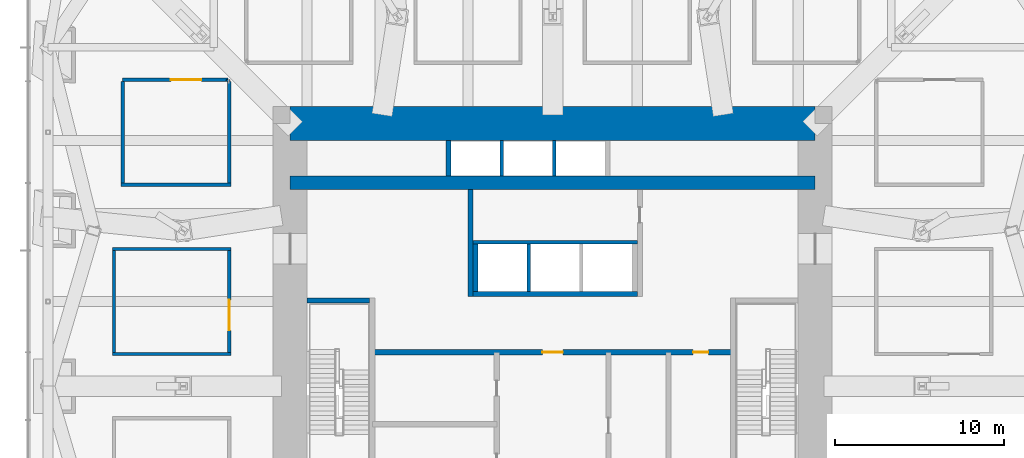
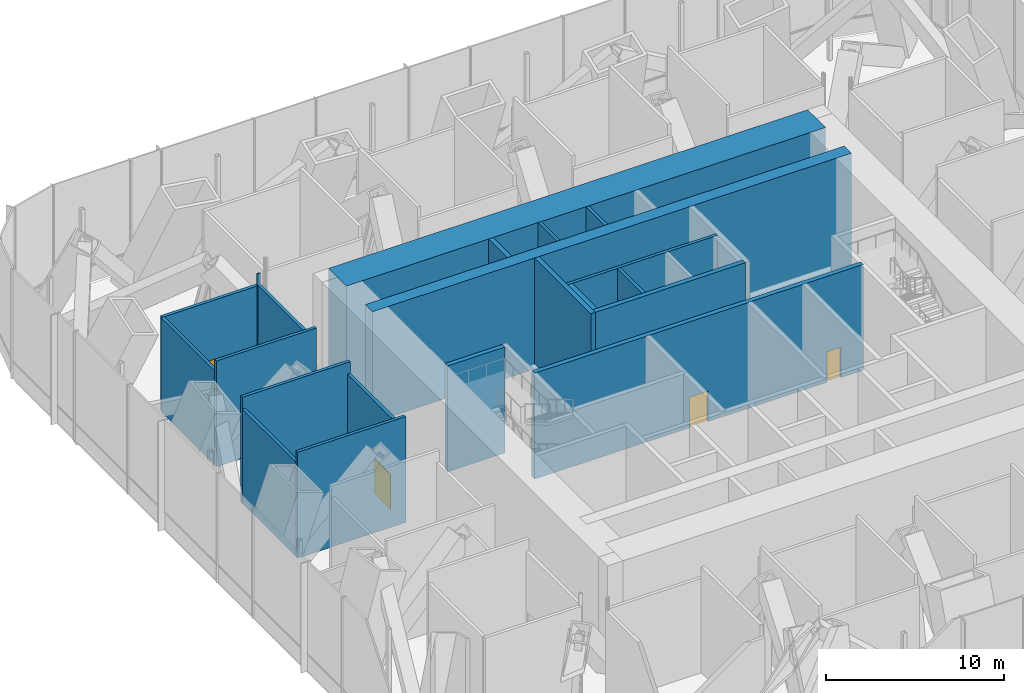
# One storey, part 15 of 20: 21 walls, 4 doors, 4 openings.
"""IFC4 building model written with IfcOpenShell, lengths in metres."""

import ifcopenshell
import ifcopenshell.guid

model = None  # the IFC model being written
_history = None  # IfcOwnerHistory: only IFC2X3 demands one
_inside = {}  # id of a spatial element -> (the spatial element, [elements in it])
_under = {}  # id of a project, library or spatial element -> (it, [spatial elements below it])
_declared = {}  # id of a project -> (the project, [libraries it declares])
_typed = {}  # id of a type object -> (the type object, [elements of that type])
_made_of = {}  # id of a material, layer set ... -> (it, [elements and type objects made of it])


def new_model(schema):
    """Start an empty IFC model of exactly this schema.

    Asked for "IFC4X3", IfcOpenShell would pick the latest addendum, in which some entities
    have other attributes; the version numbers below select the first issue.
    IFC2X3 requires an IfcOwnerHistory on every rooted entity: one is made here for all.
    """
    global model, _history
    if schema == "IFC4X3":
        model = ifcopenshell.file(schema_version=(4, 3, 0, 0))
    else:
        model = ifcopenshell.file(schema=schema)
    _inside.clear()
    _under.clear()
    _declared.clear()
    _typed.clear()
    _made_of.clear()
    _history = None
    if model.schema == "IFC2X3":
        org = make("IfcOrganization", Name="unknown")
        user = make(
            "IfcPersonAndOrganization",
            ThePerson=make("IfcPerson", FamilyName="unknown"),
            TheOrganization=org,
        )
        app = make(
            "IfcApplication",
            ApplicationDeveloper=org,
            Version="unknown",
            ApplicationFullName="unknown",
            ApplicationIdentifier="unknown",
        )
        _history = make(
            "IfcOwnerHistory",
            OwningUser=user,
            OwningApplication=app,
            ChangeAction="ADDED",
            CreationDate=0,
        )
    return model


def make(cls, **values):
    """One entity of the class cls with the attributes given. An attribute that is None is left unset."""
    return model.create_entity(
        cls, **{name: value for name, value in values.items() if value is not None}
    )


def rooted(cls, **values):
    """An entity with a GlobalId (a new one), such as an element, a storey or a relation."""
    return make(cls, GlobalId=ifcopenshell.guid.new(), OwnerHistory=_history, **values)


def si_unit(unit_type, name, prefix=None):
    """IfcSIUnit, for example si_unit("LENGTHUNIT", "METRE", prefix="MILLI")."""
    return make("IfcSIUnit", UnitType=unit_type, Prefix=prefix, Name=name)


def assignment(units):
    """IfcUnitAssignment: the units of a project."""
    return None if units is None else make("IfcUnitAssignment", Units=units)


def point(xyz):
    """IfcCartesianPoint."""
    return None if xyz is None else make("IfcCartesianPoint", Coordinates=xyz)


def direction(xyz):
    """IfcDirection."""
    return None if xyz is None else make("IfcDirection", DirectionRatios=xyz)


def frame(location, z_axis=None, x_axis=None):
    """IfcAxis2Placement3D, a coordinate frame: its origin and axes. An axis left out is left unset."""
    return make(
        "IfcAxis2Placement3D",
        Location=point(location),
        Axis=direction(z_axis),
        RefDirection=direction(x_axis),
    )


def frame_2d(location, x_axis=None):
    """IfcAxis2Placement2D, a coordinate frame in the plane: its origin and x axis."""
    return make(
        "IfcAxis2Placement2D", Location=point(location), RefDirection=direction(x_axis)
    )


def origin():
    """The frame at (0, 0, 0) with its axes left unset."""
    return frame((0.0, 0.0, 0.0))


def place(relative_to, where):
    """IfcLocalPlacement: puts the frame where relative to a parent placement (None: the world)."""
    return make(
        "IfcLocalPlacement", PlacementRelTo=relative_to, RelativePlacement=where
    )


def context(
    kind, dimensions, precision=None, world=None, true_north=None, identifier=None
):
    """IfcGeometricRepresentationContext, for example the 3D "Model" context."""
    return make(
        "IfcGeometricRepresentationContext",
        ContextIdentifier=identifier,
        ContextType=kind,
        CoordinateSpaceDimension=dimensions,
        Precision=precision,
        WorldCoordinateSystem=world,
        TrueNorth=true_north,
    )


def subcontext(parent, identifier, kind, view, scale=None):
    """IfcGeometricRepresentationSubContext, for example "Body" below "Model"."""
    return make(
        "IfcGeometricRepresentationSubContext",
        ContextIdentifier=identifier,
        ContextType=kind,
        ParentContext=parent,
        TargetScale=scale,
        TargetView=view,
    )


def project(units=None, contexts=None):
    """IfcProject with its units and contexts."""
    return rooted(
        "IfcProject",
        Name="project",
        RepresentationContexts=contexts,
        UnitsInContext=assignment(units),
    )


def spatial(cls, under=None, at=None, **own):
    """A site, building, storey or space (cls), placed at a placement, below another one or the project."""
    s = rooted(cls, ObjectPlacement=at, **own)
    if under is not None:
        _under.setdefault(under.id(), (under, []))[1].append(s)
    return s


def profile(cls, at=None, kind="AREA", **sizes):
    """A parametric profile (cls). Its sizes go by their IFC names, for example OverallWidth=200.0."""
    return make(cls, ProfileType=kind, Position=at, **sizes)


def rectangle(**sizes):
    """IfcRectangleProfileDef."""
    return profile("IfcRectangleProfileDef", **sizes)


def extrude(swept, where, along, depth):
    """IfcExtrudedAreaSolid: the profile swept, set in the frame where, extruded along a direction by depth."""
    return make(
        "IfcExtrudedAreaSolid",
        SweptArea=swept,
        Position=where,
        ExtrudedDirection=direction(along),
        Depth=depth,
    )


def shape(context_of_items, identifier, shape_type, items):
    """IfcShapeRepresentation: the items that make up one representation, for example the "Body"."""
    return make(
        "IfcShapeRepresentation",
        ContextOfItems=context_of_items,
        RepresentationIdentifier=identifier,
        RepresentationType=shape_type,
        Items=items,
    )


def material(Name=None, Category=None):
    """IfcMaterial."""
    return make("IfcMaterial", Name=Name, Category=Category)


def layer(
    of_material, thickness, ventilated=None, Name=None, Category=None, Priority=None
):
    """IfcMaterialLayer: one layer of a wall or slab, of a material (None: an air gap)."""
    return make(
        "IfcMaterialLayer",
        Material=of_material,
        LayerThickness=thickness,
        IsVentilated=ventilated,
        Name=Name,
        Category=Category,
        Priority=Priority,
    )


def layer_set(layers, Name=None):
    """IfcMaterialLayerSet."""
    return make("IfcMaterialLayerSet", MaterialLayers=layers, LayerSetName=Name)


def made_of(thing, what):
    """Note that an element or type object is made of a material, layer set ...; save() writes the relation."""
    if what is not None:
        _made_of.setdefault(what.id(), (what, []))[1].append(thing)
    return thing


def type_object(cls, material=None, **own):
    """A type object (cls), such as IfcWallType, which elements share."""
    return made_of(rooted(cls, **own), material)


def element(
    cls,
    number,
    at=None,
    inside=None,
    cuts=None,
    type_object=None,
    material=None,
    context=None,
    identifier="Body",
    shape_type=None,
    held_by="IfcProductDefinitionShape",
    body=None,
    shapes=None,
    **own,
):
    """One element of the class cls, such as IfcWall. Its Tag is "e" and its number.

    at: its placement. inside: the storey or other place that contains it. cuts: it is an
    opening in that element (IfcRelVoidsElement). A single representation is given by context,
    identifier, shape_type and body (its items); several are given by shapes. held_by: the class
    of the entity that holds the representations. save() writes the other relations.
    """
    e = rooted(cls, Tag="e%d" % number, ObjectPlacement=at, **own)
    if body is not None:
        shapes = [shape(context, identifier, shape_type, body)]
    if shapes is not None:
        e.Representation = make(held_by, Representations=shapes)
    if inside is not None:
        _inside.setdefault(inside.id(), (inside, []))[1].append(e)
    if cuts is not None:
        rooted(
            "IfcRelVoidsElement", RelatingBuildingElement=cuts, RelatedOpeningElement=e
        )
    if type_object is not None:
        _typed.setdefault(type_object.id(), (type_object, []))[1].append(e)
    return made_of(e, material)


def fill(opening, filler):
    """IfcRelFillsElement: the door or window that sits in an opening."""
    return rooted(
        "IfcRelFillsElement",
        RelatingOpeningElement=opening,
        RelatedBuildingElement=filler,
    )


def aggregate(whole, parts):
    """IfcRelAggregates: a whole, such as a stair, and the parts it consists of."""
    return rooted("IfcRelAggregates", RelatingObject=whole, RelatedObjects=parts)


def save(model, path):
    """Write the relations noted so far, then the file.

    IfcRelAggregates (storeys below a building ...), IfcRelContainedInSpatialStructure (elements
    in a storey), IfcRelDefinesByType, IfcRelAssociatesMaterial and IfcRelDeclares: one each for
    every whole, place, type object, material and project.
    """
    for whole, parts in _under.values():
        aggregate(whole, parts)
    for where, things in _inside.values():
        rooted(
            "IfcRelContainedInSpatialStructure",
            RelatedElements=things,
            RelatingStructure=where,
        )
    for kind, things in _typed.values():
        rooted("IfcRelDefinesByType", RelatedObjects=things, RelatingType=kind)
    for what, things in _made_of.values():
        rooted("IfcRelAssociatesMaterial", RelatedObjects=things, RelatingMaterial=what)
    for by, libraries in _declared.values():
        rooted("IfcRelDeclares", RelatingContext=by, RelatedDefinitions=libraries)
    model.write(path)


model = new_model("IFC4")

# Units and contexts
model_context = context("Model", 3, precision=1e-05, world=origin(), true_north=direction((0.0, 1.0)))
body_context = subcontext(model_context, "Body", "Model", "MODEL_VIEW")
ifc_project = project(units=[si_unit("LENGTHUNIT", "METRE"), si_unit("AREAUNIT", "SQUARE_METRE"), si_unit("VOLUMEUNIT", "CUBIC_METRE"), si_unit("PLANEANGLEUNIT", "RADIAN"), si_unit("MASSUNIT", "GRAM", prefix="KILO")], contexts=[model_context])

# Site, building, storey
site_placement = place(None, origin())
site = spatial("IfcSite", under=ifc_project, at=site_placement, CompositionType="ELEMENT")
building_placement = place(site_placement, origin())
building = spatial("IfcBuilding", under=site, at=building_placement, Name="Khuree Lantern Residences", CompositionType="ELEMENT")
storey_placement = place(building_placement, frame((0.0, 0.0, 99.75)))
storey = spatial("IfcBuildingStorey", under=building, at=storey_placement, Name="L25", CompositionType="ELEMENT", Elevation=99.75)

# Walls
ifc_material_1 = material(Name="Dense concrete blockwork", Category="masonry")
ifc_layer_1 = layer(ifc_material_1, 0.300048828125)
ifc_layer_set_1 = layer_set([ifc_layer_1], Name="CORE PARTITION WALL CPW300 EI 120")
wall_type_1 = type_object("IfcWallType", Name="CORE PARTITION WALL CPW300 EI 120", PredefinedType="PARTITIONING", material=ifc_layer_set_1)
wall_1_placement = place(storey_placement, frame((-4.699951171875, 5.449951171875, 0.0), z_axis=(0.0, 0.0, 1.0), x_axis=(1.0, 0.0, 0.0)))
element("IfcWall", 1, at=wall_1_placement, inside=storey, type_object=wall_type_1, Name="L25 CORE WALL PHS", PredefinedType="PARTITIONING", context=body_context, shape_type="SweptSolid", body=[
    extrude(rectangle(XDim=9.699951171875, YDim=0.300048828125, at=frame_2d((4.85009765625, 0.0))), origin(), (0.0, 0.0, 1.0), 7.25),
])
wall_2_placement = place(storey_placement, frame((-4.550048828125, 5.60009765625, 0.0), z_axis=(0.0, 0.0, 1.0), x_axis=(0.0, 1.0, 0.0)))
element("IfcWall", 2, at=wall_2_placement, inside=storey, type_object=wall_type_1, Name="L25 CORE WALL PHW", PredefinedType="PARTITIONING", context=body_context, shape_type="SweptSolid", body=[
    extrude(rectangle(XDim=2.7998046875, YDim=0.300048828125, at=frame_2d((1.39990234375, 0.0))), origin(), (0.0, 0.0, 1.0), 7.25),
])
wall_3_placement = place(storey_placement, frame((-6.14990234375, 12.39990234375, 0.0), z_axis=(0.0, 0.0, 1.0), x_axis=(0.0, 1.0, 0.0)))
element("IfcWall", 3, at=wall_3_placement, inside=storey, type_object=wall_type_1, Name="L25 CORE WALL PLW", PredefinedType="PARTITIONING", context=body_context, shape_type="SweptSolid", body=[
    extrude(rectangle(XDim=2.10009765625, YDim=0.300048828125, at=frame_2d((1.050048828125, 0.0))), origin(), (0.0, 0.0, 1.0), 7.25),
])

# Wall, openings, doors
wall_4_placement = place(storey_placement, frame((-10.64990234375, 2.0, 0.0), z_axis=(0.0, 0.0, 1.0), x_axis=(1.0, 0.0, 0.0)))
wall_4 = element("IfcWall", 4, at=wall_4_placement, inside=storey, type_object=wall_type_1, Name="L25 CORE WALL LLS", PredefinedType="PARTITIONING", context=body_context, shape_type="SweptSolid", body=[
    extrude(rectangle(XDim=21.2998046875, YDim=0.300048828125, at=frame_2d((10.64990234375, 0.0))), origin(), (0.0, 0.0, 1.0), 7.25),
])
opening_1_placement = place(wall_4_placement, frame((10.050048828125, 0.0, 0.0)))
opening_1 = element("IfcOpeningElement", 5, at=opening_1_placement, cuts=wall_4, Name="Opening 25-010", PredefinedType="OPENING", context=body_context, shape_type="SweptSolid", body=[
    extrude(rectangle(XDim=1.199951171875, YDim=2.10009765625, at=frame_2d((0.60009765625, 1.050048828125))), frame((0.0, 0.16015625, 0.0), z_axis=(0.0, -1.0, 0.0), x_axis=(1.0, 0.0, 0.0)), (0.0, 0.0, 1.0), 0.320068359375),
])
opening_2_placement = place(wall_4_placement, frame((18.94189453125, 0.0, 0.0)))
opening_2 = element("IfcOpeningElement", 6, at=opening_2_placement, cuts=wall_4, Name="Opening 25-016", PredefinedType="OPENING", context=body_context, shape_type="SweptSolid", body=[
    extrude(rectangle(XDim=0.89990234375, YDim=2.10009765625, at=frame_2d((0.449951171875, 1.050048828125))), frame((0.0, 0.16015625, 0.0), z_axis=(0.0, -1.0, 0.0), x_axis=(1.0, 0.0, 0.0)), (0.0, 0.0, 1.0), 0.320068359375),
])
ifc_material_2 = material(Name="Steel door leaf in steel frame", Category="steel")
door_type_1 = type_object("IfcDoorType", Name="DOOR 1200X2100 EI 60", OperationType="SINGLE_SWING_LEFT", PredefinedType="DOOR", material=ifc_material_2)
door_1_placement = place(opening_1_placement, origin())
door_1 = element("IfcDoor", 7, at=door_1_placement, inside=storey, type_object=door_type_1, Name="Service lift lobby door 25-010", OperationType="SINGLE_SWING_LEFT", OverallHeight=2.10009765625, OverallWidth=1.199951171875, PredefinedType="DOOR", context=body_context, shape_type="SweptSolid", body=[
    extrude(rectangle(XDim=1.199951171875, YDim=2.10009765625, at=frame_2d((0.60009765625, 1.050048828125))), frame((0.0, 0.02490234375, 0.0), z_axis=(0.0, -1.0, 0.0), x_axis=(1.0, 0.0, 0.0)), (0.0, 0.0, 1.0), 0.050048828125),
])
fill(opening_1, door_1)
ifc_material_3 = material(Name="Timber door leaf in hardwood frame", Category="wood")
door_type_2 = type_object("IfcDoorType", Name="DOOR 900X2100 RIGHT HAND", OperationType="SINGLE_SWING_RIGHT", PredefinedType="DOOR", material=ifc_material_3)
door_2_placement = place(opening_2_placement, origin())
door_2 = element("IfcDoor", 8, at=door_2_placement, inside=storey, type_object=door_type_2, Name="Store door 25-016", OperationType="SINGLE_SWING_RIGHT", OverallHeight=2.10009765625, OverallWidth=0.89990234375, PredefinedType="DOOR", context=body_context, shape_type="SweptSolid", body=[
    extrude(rectangle(XDim=0.89990234375, YDim=2.10009765625, at=frame_2d((0.449951171875, 1.050048828125))), frame((0.0, 0.02490234375, 0.0), z_axis=(0.0, -1.0, 0.0), x_axis=(1.0, 0.0, 0.0)), (0.0, 0.0, 1.0), 0.050048828125),
])
fill(opening_2, door_2)

# Walls
wall_5_placement = place(storey_placement, frame((-4.85009765625, 5.300048828125, 0.0), z_axis=(0.0, 0.0, 1.0), x_axis=(0.0, 1.0, 0.0)))
element("IfcWall", 9, at=wall_5_placement, inside=storey, type_object=wall_type_1, Name="L25 CORE WALL NW", PredefinedType="PARTITIONING", context=body_context, shape_type="SweptSolid", body=[
    extrude(rectangle(XDim=6.300048828125, YDim=0.300048828125, at=frame_2d((3.14990234375, 0.0))), origin(), (0.0, 0.0, 1.0), 7.25),
])
ifc_material_4 = material(Name="Concrete C70/85", Category="concrete")
ifc_layer_2 = layer(ifc_material_4, 2.0)
ifc_layer_set_2 = layer_set([ifc_layer_2], Name="CW2000-C70 CORE WALL C70 2000")
wall_type_2 = type_object("IfcWallType", Name="CW2000-C70 CORE WALL C70 2000", PredefinedType="SHEAR", material=ifc_layer_set_2)
wall_6_placement = place(storey_placement, frame((-15.5, 15.5, -0.35009765625), z_axis=(0.0, 0.0, 1.0), x_axis=(1.0, 0.0, 0.0)))
element("IfcWall", 10, at=wall_6_placement, inside=storey, type_object=wall_type_2, Name="Core wall N", PredefinedType="SHEAR", context=body_context, shape_type="SweptSolid", body=[
    extrude(rectangle(XDim=31.0, YDim=2.0, at=frame_2d((15.5, 0.0))), origin(), (0.0, 0.0, 1.0), 7.60009765625),
])
ifc_layer_3 = layer(ifc_material_1, 0.199951171875)
ifc_layer_set_3 = layer_set([ifc_layer_3], Name="FIRE-RATED ROOM WALL FRW200 EI 120")
wall_type_3 = type_object("IfcWallType", Name="FIRE-RATED ROOM WALL FRW200 EI 120", PredefinedType="SOLIDWALL", material=ifc_layer_set_3)
wall_7_placement = place(storey_placement, frame((-26.0, 1.89990234375, 0.0), z_axis=(0.0, 0.0, 1.0), x_axis=(1.0, 0.0, 0.0)))
element("IfcWall", 11, at=wall_7_placement, inside=storey, type_object=wall_type_3, Name="L25 ROOM WALL 41", PredefinedType="SOLIDWALL", context=body_context, shape_type="SweptSolid", body=[
    extrude(rectangle(XDim=7.0, YDim=0.199951171875, at=frame_2d((3.5, 0.0))), origin(), (0.0, 0.0, 1.0), 7.25),
])
wall_8_placement = place(storey_placement, frame((-25.89990234375, 2.0, 0.0), z_axis=(0.0, 0.0, 1.0), x_axis=(0.0, 1.0, 0.0)))
element("IfcWall", 12, at=wall_8_placement, inside=storey, type_object=wall_type_3, Name="L25 ROOM WALL 43", PredefinedType="SOLIDWALL", context=body_context, shape_type="SweptSolid", body=[
    extrude(rectangle(XDim=6.0, YDim=0.199951171875, at=frame_2d((3.0, 0.0))), origin(), (0.0, 0.0, 1.0), 6.4599609375),
])

# Wall, opening, door
wall_9_placement = place(storey_placement, frame((-19.10009765625, 2.0, 0.0), z_axis=(0.0, 0.0, 1.0), x_axis=(0.0, 1.0, 0.0)))
wall_9 = element("IfcWall", 13, at=wall_9_placement, inside=storey, type_object=wall_type_3, Name="L25 ROOM WALL 44", PredefinedType="SOLIDWALL", context=body_context, shape_type="SweptSolid", body=[
    extrude(rectangle(XDim=6.0, YDim=0.199951171875, at=frame_2d((3.0, 0.0))), origin(), (0.0, 0.0, 1.0), 6.4599609375),
])
opening_3_placement = place(wall_9_placement, frame((1.300048828125, 0.0, 0.0)))
opening_3 = element("IfcOpeningElement", 14, at=opening_3_placement, cuts=wall_9, Name="Opening 25-026", PredefinedType="OPENING", context=body_context, shape_type="SweptSolid", body=[
    extrude(rectangle(XDim=1.800048828125, YDim=2.39990234375, at=frame_2d((0.89990234375, 1.199951171875))), frame((0.0, 0.10986328125, 0.0), z_axis=(0.0, -1.0, 0.0), x_axis=(1.0, 0.0, 0.0)), (0.0, 0.0, 1.0), 0.219970703125),
])
door_type_3 = type_object("IfcDoorType", Name="PLANT ROOM DOOR 1800X2400 EI 60", OperationType="DOUBLE_DOOR_SINGLE_SWING", PredefinedType="DOOR", material=ifc_material_2)
door_3_placement = place(opening_3_placement, origin())
door_3 = element("IfcDoor", 15, at=door_3_placement, inside=storey, type_object=door_type_3, Name="Pressurisation fan plant room door 25-026", OperationType="DOUBLE_DOOR_SINGLE_SWING", OverallHeight=2.39990234375, OverallWidth=1.800048828125, PredefinedType="DOOR", context=body_context, shape_type="SweptSolid", body=[
    extrude(rectangle(XDim=1.800048828125, YDim=2.39990234375, at=frame_2d((0.89990234375, 1.199951171875))), frame((0.0, 0.02490234375, 0.0), z_axis=(0.0, -1.0, 0.0), x_axis=(1.0, 0.0, 0.0)), (0.0, 0.0, 1.0), 0.050048828125),
])
fill(opening_3, door_3)

# Walls
wall_10_placement = place(storey_placement, frame((-26.0, 8.10009765625, 0.0), z_axis=(0.0, 0.0, 1.0), x_axis=(1.0, 0.0, 0.0)))
element("IfcWall", 16, at=wall_10_placement, inside=storey, type_object=wall_type_3, Name="L25 ROOM WALL 47", PredefinedType="SOLIDWALL", context=body_context, shape_type="SweptSolid", body=[
    extrude(rectangle(XDim=7.0, YDim=0.199951171875, at=frame_2d((3.5, 0.0))), origin(), (0.0, 0.0, 1.0), 7.25),
])
wall_11_placement = place(storey_placement, frame((-25.47998046875, 11.89990234375, 0.0), z_axis=(0.0, 0.0, 1.0), x_axis=(1.0, 0.0, 0.0)))
element("IfcWall", 17, at=wall_11_placement, inside=storey, type_object=wall_type_3, Name="L25 ROOM WALL 49", PredefinedType="SOLIDWALL", context=body_context, shape_type="SweptSolid", body=[
    extrude(rectangle(XDim=6.47998046875, YDim=0.199951171875, at=frame_2d((3.239990234375, 0.0))), origin(), (0.0, 0.0, 1.0), 7.25),
])
for number, where, z_axis, x_axis, name in (
    (18, (-25.3798828125, 12.0, 0.0), (0.0, 0.0, 1.0), (0.0, 1.0, 0.0), "L25 ROOM WALL 51"),
    (19, (-19.10009765625, 12.0, 0.0), (0.0, 0.0, 1.0), (0.0, 1.0, 0.0), "L25 ROOM WALL 52"),
):
    element("IfcWall", number, at=place(storey_placement, frame(where, z_axis=z_axis, x_axis=x_axis)), inside=storey, type_object=wall_type_3, Name=name, PredefinedType="SOLIDWALL", context=body_context, shape_type="SweptSolid", body=[
        extrude(rectangle(XDim=6.0, YDim=0.199951171875, at=frame_2d((3.0, 0.0))), origin(), (0.0, 0.0, 1.0), 6.4599609375),
    ])

# Wall, opening, door
wall_12_placement = place(storey_placement, frame((-25.39990234375, 18.10009765625, 0.0), z_axis=(0.0, 0.0, 1.0), x_axis=(1.0, 0.0, 0.0)))
wall_12 = element("IfcWall", 20, at=wall_12_placement, inside=storey, type_object=wall_type_3, Name="L25 ROOM WALL 57", PredefinedType="SOLIDWALL", context=body_context, shape_type="SweptSolid", body=[
    extrude(rectangle(XDim=6.239013671875, YDim=0.199951171875, at=frame_2d((3.11962890625, 0.0))), origin(), (0.0, 0.0, 1.0), 6.449951171875),
])
opening_4_placement = place(wall_12_placement, frame((2.864013671875, 0.0, 0.0)))
opening_4 = element("IfcOpeningElement", 21, at=opening_4_placement, cuts=wall_12, Name="Opening 25-028", PredefinedType="OPENING", context=body_context, shape_type="SweptSolid", body=[
    extrude(rectangle(XDim=1.800048828125, YDim=2.39990234375, at=frame_2d((0.89990234375, 1.199951171875))), frame((0.0, 0.10986328125, 0.0), z_axis=(0.0, -1.0, 0.0), x_axis=(1.0, 0.0, 0.0)), (0.0, 0.0, 1.0), 0.219970703125),
])
door_4_placement = place(opening_4_placement, origin())
door_4 = element("IfcDoor", 22, at=door_4_placement, inside=storey, type_object=door_type_3, Name="Lift motor plant room door 25-028", OperationType="DOUBLE_DOOR_SINGLE_SWING", OverallHeight=2.39990234375, OverallWidth=1.800048828125, PredefinedType="DOOR", context=body_context, shape_type="SweptSolid", body=[
    extrude(rectangle(XDim=1.800048828125, YDim=2.39990234375, at=frame_2d((0.89990234375, 1.199951171875))), frame((0.0, 0.02490234375, 0.0), z_axis=(0.0, -1.0, 0.0), x_axis=(1.0, 0.0, 0.0)), (0.0, 0.0, 1.0), 0.050048828125),
])
fill(opening_4, door_4)

# Walls
wall_13_placement = place(storey_placement, frame((-19.160888671875, 18.10009765625, 0.0), z_axis=(0.0, 0.0, 1.0), x_axis=(0.0, -1.0, 0.0)))
element("IfcWall", 23, at=wall_13_placement, inside=storey, type_object=wall_type_3, Name="L25 ROOM WALL 58", PredefinedType="SOLIDWALL", context=body_context, shape_type="SweptSolid", body=[
    extrude(rectangle(XDim=0.10009765625, YDim=0.199951171875, at=frame_2d((0.050048828125, 0.0))), origin(), (0.0, 0.0, 1.0), 7.25),
])
ifc_layer_4 = layer(ifc_material_1, 0.199951171875)
ifc_layer_set_4 = layer_set([ifc_layer_4], Name="SHAFT WALL SHW200 EI 120")
wall_type_4 = type_object("IfcWallType", Name="SHAFT WALL SHW200 EI 120", PredefinedType="PARTITIONING", material=ifc_layer_set_4)
wall_14_placement = place(storey_placement, frame((-4.699951171875, 8.5, 0.0), z_axis=(0.0, 0.0, 1.0), x_axis=(1.0, 0.0, 0.0)))
element("IfcWall", 24, at=wall_14_placement, inside=storey, type_object=wall_type_4, Name="L25 CORE WALL PHN", PredefinedType="PARTITIONING", context=body_context, shape_type="SweptSolid", body=[
    extrude(rectangle(XDim=9.699951171875, YDim=0.199951171875, at=frame_2d((4.85009765625, 0.0))), origin(), (0.0, 0.0, 1.0), 7.25),
])
wall_15_placement = place(storey_placement, frame((-1.39990234375, 5.60009765625, 0.0), z_axis=(0.0, 0.0, 1.0), x_axis=(0.0, 1.0, 0.0)))
element("IfcWall", 25, at=wall_15_placement, inside=storey, type_object=wall_type_4, Name="L25 CORE WALL PHD1", PredefinedType="PARTITIONING", context=body_context, shape_type="SweptSolid", body=[
    extrude(rectangle(XDim=2.7998046875, YDim=0.199951171875, at=frame_2d((1.39990234375, 0.0))), origin(), (0.0, 0.0, 1.0), 7.25),
])
for number, where, z_axis, x_axis, name in (
    (26, (-3.0, 12.39990234375, 0.0), (0.0, 0.0, 1.0), (0.0, 1.0, 0.0), "L25 CORE WALL PLD1"),
    (27, (0.10009765625, 12.39990234375, 0.0), (0.0, 0.0, 1.0), (0.0, 1.0, 0.0), "L25 CORE WALL PLD2"),
):
    element("IfcWall", number, at=place(storey_placement, frame(where, z_axis=z_axis, x_axis=x_axis)), inside=storey, type_object=wall_type_4, Name=name, PredefinedType="PARTITIONING", context=body_context, shape_type="SweptSolid", body=[
        extrude(rectangle(XDim=2.10009765625, YDim=0.199951171875, at=frame_2d((1.050048828125, 0.0))), origin(), (0.0, 0.0, 1.0), 7.25),
    ])
ifc_layer_5 = layer(ifc_material_4, 0.800048828125)
ifc_layer_set_5 = layer_set([ifc_layer_5], Name="SP800-C70 CORE SPINE WALL C70 800")
wall_type_5 = type_object("IfcWallType", Name="SP800-C70 CORE SPINE WALL C70 800", PredefinedType="SHEAR", material=ifc_layer_set_5)
wall_16_placement = place(storey_placement, frame((-15.5, 12.0, -0.35009765625), z_axis=(0.0, 0.0, 1.0), x_axis=(1.0, 0.0, 0.0)))
element("IfcWall", 28, at=wall_16_placement, inside=storey, type_object=wall_type_5, Name="Core wall SPN", PredefinedType="SHEAR", context=body_context, shape_type="SweptSolid", body=[
    extrude(rectangle(XDim=31.0, YDim=0.800048828125, at=frame_2d((15.5, 0.0))), origin(), (0.0, 0.0, 1.0), 7.60009765625),
])
ifc_material_5 = material(Name="Concrete C50/60", Category="concrete")
ifc_layer_6 = layer(ifc_material_5, 0.300048828125)
ifc_layer_set_6 = layer_set([ifc_layer_6], Name="STAIR WALL SRW300 C50/60 REI 240")
wall_type_6 = type_object("IfcWallType", Name="STAIR WALL SRW300 C50/60 REI 240", PredefinedType="SOLIDWALL", material=ifc_layer_set_6)
wall_17_placement = place(storey_placement, frame((-14.5, 5.050048828125, 0.0), z_axis=(0.0, 0.0, 1.0), x_axis=(1.0, 0.0, 0.0)))
element("IfcWall", 29, at=wall_17_placement, inside=storey, type_object=wall_type_6, Name="L25 STAIR WALL ST1N", PredefinedType="SOLIDWALL", context=body_context, shape_type="SweptSolid", body=[
    extrude(rectangle(XDim=3.699951171875, YDim=0.300048828125, at=frame_2d((1.85009765625, 0.0))), origin(), (0.0, 0.0, 1.0), 7.25),
])

save(model, "model.ifc")
